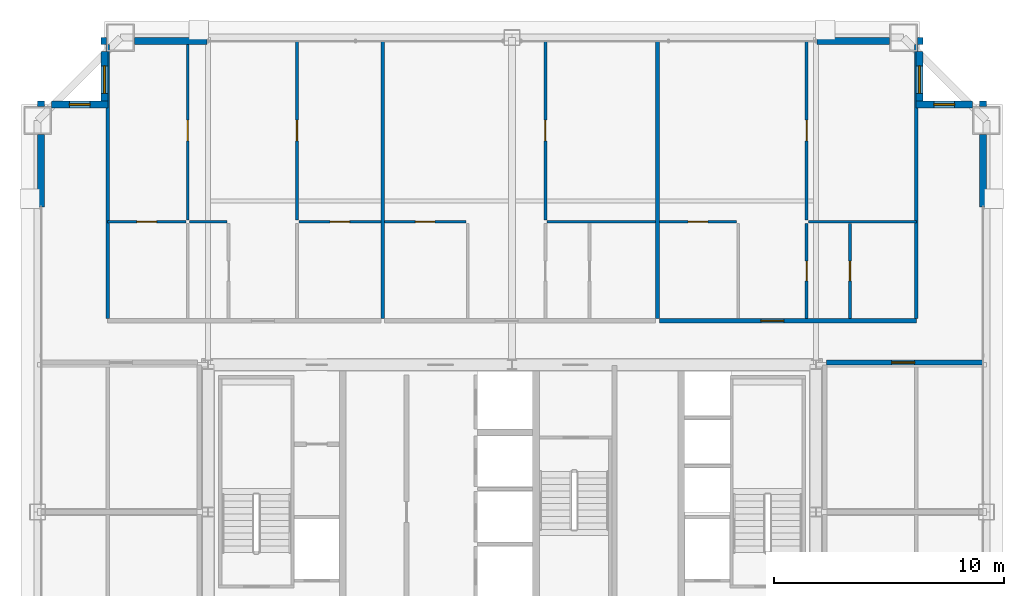
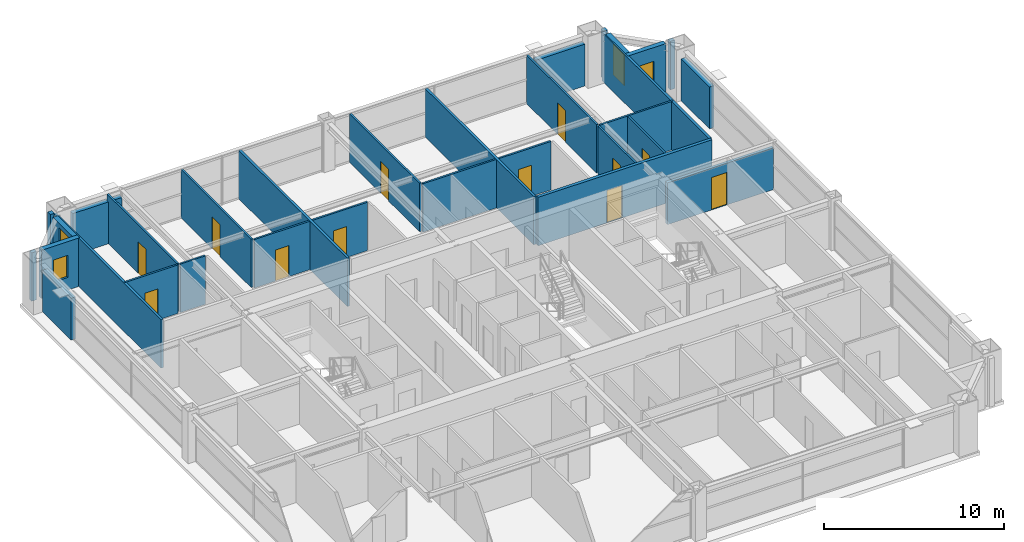
# One storey, part 35 of 37: 31 walls, 12 doors, 4 windows, 16 openings.
"""IFC4 building model written with IfcOpenShell, lengths in metres."""

from ifc_helpers import new_model, si_unit, direction, frame, frame_2d, origin, place, context, subcontext, project, spatial, rectangle, extrude, source, transform, mapped, material, layer, layer_set, type_object, element, fill, save


model = new_model("IFC4")

# Units and contexts
model_context = context("Model", 3, precision=1e-05, world=origin(), true_north=direction((0.0, 1.0)))
body_context = subcontext(model_context, "Body", "Model", "MODEL_VIEW")
ifc_project = project(units=[si_unit("LENGTHUNIT", "METRE"), si_unit("AREAUNIT", "SQUARE_METRE"), si_unit("VOLUMEUNIT", "CUBIC_METRE"), si_unit("PLANEANGLEUNIT", "RADIAN"), si_unit("MASSUNIT", "GRAM", prefix="KILO"), si_unit("THERMODYNAMICTEMPERATUREUNIT", "KELVIN"), si_unit("POWERUNIT", "WATT")], contexts=[model_context])

# Site, building, storey
site_placement = place(None, origin())
site = spatial("IfcSite", under=ifc_project, at=site_placement, CompositionType="ELEMENT")
building_placement = place(site_placement, origin())
building = spatial("IfcBuilding", under=site, at=building_placement, Name="Yuzanri Waterfront Tower", CompositionType="ELEMENT")
storey_placement = place(building_placement, frame((0.0, 0.0, 245.10009765625)))
storey = spatial("IfcBuildingStorey", under=building, at=storey_placement, Name="L65", CompositionType="ELEMENT", Elevation=245.10009765625)

# Wall, opening, door
ifc_material_1 = material(Name="Moisture-Resistant Gypsum Stud Wall", Category="gypsum")
ifc_layer_1 = layer(ifc_material_1, 0.1201171875)
ifc_layer_set_1 = layer_set([ifc_layer_1], Name="Moisture-Resistant Gypsum Stud Wall")
wall_type_1 = type_object("IfcWallType", Name="Bathroom and Kitchen Wet Partition 120", PredefinedType="PARTITIONING", material=ifc_layer_set_1)
wall_1_placement = place(storey_placement, frame((19.43994140625, 38.39990234375, 0.0), z_axis=(0.0, 0.0, 1.0), x_axis=(1.0, 0.0, 0.0)))
wall_1 = element("IfcWall", 1, at=wall_1_placement, inside=storey, type_object=wall_type_1, Name="L65 Partition UW-L65-RN1-SUB-1-N", PredefinedType="PARTITIONING", context=body_context, shape_type="SweptSolid", body=[
    extrude(rectangle(XDim=3.400146484375, YDim=0.1201171875, at=frame_2d((1.7001953125, 0.0))), origin(), (0.0, 0.0, 1.0), 3.27978515625),
])
opening_1_placement = place(wall_1_placement, frame((1.27490234375, 0.0, 0.0)))
opening_1 = element("IfcOpeningElement", 2, at=opening_1_placement, cuts=wall_1, Name="Opening ID-0850", PredefinedType="OPENING", context=body_context, shape_type="SweptSolid", body=[
    extrude(rectangle(XDim=0.85009765625, YDim=2.10009765625, at=frame_2d((0.425048828125, 1.050048828125))), frame((0.0, 0.074951171875, 0.0), z_axis=(0.0, -1.0, 0.0), x_axis=(1.0, 0.0, 0.0)), (0.0, 0.0, 1.0), 0.14990234375),
])
ifc_material_2 = material(Name="Moisture-Resistant Lacquered Timber", Category="wood")
door_type_1 = type_object("IfcDoorType", Name="En-Suite Bathroom and Kitchen Swing Door 850x2100", OperationType="NOTDEFINED", PredefinedType="DOOR", material=ifc_material_2)
shared_shape_1 = source(origin(), body_context, "Body", "SweptSolid", [
    extrude(rectangle(XDim=0.85009765625, YDim=2.10009765625, at=frame_2d((0.425048828125, 1.050048828125))), frame((0.0, 0.02490234375, 0.0), z_axis=(0.0, -1.0, 0.0), x_axis=(1.0, 0.0, 0.0)), (0.0, 0.0, 1.0), 0.050048828125),
])
door_1_placement = place(opening_1_placement, origin())
door_1 = element("IfcDoor", 3, at=door_1_placement, inside=storey, type_object=door_type_1, Name="L65 Suite Interior Room Door", OperationType="SINGLE_SWING_RIGHT", OverallHeight=2.10009765625, OverallWidth=0.85009765625, PredefinedType="DOOR", context=body_context, shape_type="MappedRepresentation", body=[
    mapped(shared_shape_1, transform((0.0, 0.0, 0.0), scale=1.0)),
])
fill(opening_1, door_1)

wall_2_placement = place(storey_placement, frame((27.742919921875, 38.39990234375, 0.0), z_axis=(0.0, 0.0, 1.0), x_axis=(1.0, 0.0, 0.0)))
wall_2 = element("IfcWall", 4, at=wall_2_placement, inside=storey, type_object=wall_type_1, Name="L65 Partition UW-L65-RN1-SUB-3-N", PredefinedType="PARTITIONING", context=body_context, shape_type="SweptSolid", body=[
    extrude(rectangle(XDim=3.55810546875, YDim=0.1201171875, at=frame_2d((1.779052734375, 0.0))), origin(), (0.0, 0.0, 1.0), 3.27978515625),
])
opening_2_placement = place(wall_2_placement, frame((1.35400390625, 0.0, 0.0)))
opening_2 = element("IfcOpeningElement", 5, at=opening_2_placement, cuts=wall_2, Name="Opening ID-0850", PredefinedType="OPENING", context=body_context, shape_type="SweptSolid", body=[
    extrude(rectangle(XDim=0.85009765625, YDim=2.10009765625, at=frame_2d((0.425048828125, 1.050048828125))), frame((0.0, 0.074951171875, 0.0), z_axis=(0.0, -1.0, 0.0), x_axis=(1.0, 0.0, 0.0)), (0.0, 0.0, 1.0), 0.14990234375),
])
door_2_placement = place(opening_2_placement, origin())
door_2 = element("IfcDoor", 6, at=door_2_placement, inside=storey, type_object=door_type_1, Name="L65 Suite Interior Room Door", OperationType="SINGLE_SWING_RIGHT", OverallHeight=2.10009765625, OverallWidth=0.85009765625, PredefinedType="DOOR", context=body_context, shape_type="MappedRepresentation", body=[
    mapped(shared_shape_1, transform((0.0, 0.0, 0.0), scale=1.0)),
])
fill(opening_2, door_2)

wall_3_placement = place(storey_placement, frame((22.919921875, 38.47998046875, 0.0), z_axis=(0.0, 0.0, 1.0), x_axis=(0.0, 1.0, 0.0)))
wall_3 = element("IfcWall", 7, at=wall_3_placement, inside=storey, type_object=wall_type_1, Name="L65 Partition UW-L65-RN1-SUB-4-E", PredefinedType="PARTITIONING", context=body_context, shape_type="SweptSolid", body=[
    extrude(rectangle(XDim=7.77001953125, YDim=0.1201171875, at=frame_2d((3.885009765625, 0.0))), origin(), (0.0, 0.0, 1.0), 3.27978515625),
])
opening_3_placement = place(wall_3_placement, frame((3.43505859375, 0.0, 0.0)))
opening_3 = element("IfcOpeningElement", 8, at=opening_3_placement, cuts=wall_3, Name="Opening ID-0900", PredefinedType="OPENING", context=body_context, shape_type="SweptSolid", body=[
    extrude(rectangle(XDim=0.89990234375, YDim=2.14990234375, at=frame_2d((0.449951171875, 1.074951171875))), frame((0.0, 0.074951171875, 0.0), z_axis=(0.0, -1.0, 0.0), x_axis=(1.0, 0.0, 0.0)), (0.0, 0.0, 1.0), 0.14990234375),
])
ifc_material_3 = material(Name="Stained Walnut Veneer Timber", Category="wood")
door_type_2 = type_object("IfcDoorType", Name="Bedroom and Study Interior Swing Door 900x2150", OperationType="NOTDEFINED", PredefinedType="DOOR", material=ifc_material_3)
shared_shape_2 = source(origin(), body_context, "Body", "SweptSolid", [
    extrude(rectangle(XDim=0.89990234375, YDim=2.14990234375, at=frame_2d((0.449951171875, 1.074951171875))), frame((0.0, 0.02490234375, 0.0), z_axis=(0.0, -1.0, 0.0), x_axis=(1.0, 0.0, 0.0)), (0.0, 0.0, 1.0), 0.050048828125),
])
door_3_placement = place(opening_3_placement, origin())
door_3 = element("IfcDoor", 9, at=door_3_placement, inside=storey, type_object=door_type_2, Name="L65 Suite Interior Room Door", OperationType="SINGLE_SWING_LEFT", OverallHeight=2.14990234375, OverallWidth=0.89990234375, PredefinedType="DOOR", context=body_context, shape_type="MappedRepresentation", body=[
    mapped(shared_shape_2, transform((0.0, 0.0, 0.0), scale=1.0)),
])
fill(opening_3, door_3)

wall_4_placement = place(storey_placement, frame((27.6630859375, 38.47998046875, 0.0), z_axis=(0.0, 0.0, 1.0), x_axis=(0.0, 1.0, 0.0)))
wall_4 = element("IfcWall", 10, at=wall_4_placement, inside=storey, type_object=wall_type_1, Name="L65 Partition UW-L65-RN1-SUB-5-W", PredefinedType="PARTITIONING", context=body_context, shape_type="SweptSolid", body=[
    extrude(rectangle(XDim=7.77001953125, YDim=0.1201171875, at=frame_2d((3.885009765625, 0.0))), origin(), (0.0, 0.0, 1.0), 3.27978515625),
])
opening_4_placement = place(wall_4_placement, frame((3.43505859375, 0.0, 0.0)))
opening_4 = element("IfcOpeningElement", 11, at=opening_4_placement, cuts=wall_4, Name="Opening ID-0900", PredefinedType="OPENING", context=body_context, shape_type="SweptSolid", body=[
    extrude(rectangle(XDim=0.89990234375, YDim=2.14990234375, at=frame_2d((0.449951171875, 1.074951171875))), frame((0.0, 0.074951171875, 0.0), z_axis=(0.0, -1.0, 0.0), x_axis=(1.0, 0.0, 0.0)), (0.0, 0.0, 1.0), 0.14990234375),
])
door_4_placement = place(opening_4_placement, origin())
door_4 = element("IfcDoor", 12, at=door_4_placement, inside=storey, type_object=door_type_2, Name="L65 Suite Interior Room Door", OperationType="SINGLE_SWING_RIGHT", OverallHeight=2.14990234375, OverallWidth=0.89990234375, PredefinedType="DOOR", context=body_context, shape_type="MappedRepresentation", body=[
    mapped(shared_shape_2, transform((0.0, 0.0, 0.0), scale=1.0)),
])
fill(opening_4, door_4)

wall_5_placement = place(storey_placement, frame((31.4609375, 38.39990234375, 0.0), z_axis=(0.0, 0.0, 1.0), x_axis=(1.0, 0.0, 0.0)))
wall_5 = element("IfcWall", 13, at=wall_5_placement, inside=storey, type_object=wall_type_1, Name="L65 Partition UW-L65-RN2-SUB-1-N", PredefinedType="PARTITIONING", context=body_context, shape_type="SweptSolid", body=[
    extrude(rectangle(XDim=3.5341796875, YDim=0.1201171875, at=frame_2d((1.76708984375, 0.0))), origin(), (0.0, 0.0, 1.0), 3.27978515625),
])
opening_5_placement = place(wall_5_placement, frame((1.342041015625, 0.0, 0.0)))
opening_5 = element("IfcOpeningElement", 14, at=opening_5_placement, cuts=wall_5, Name="Opening ID-0850", PredefinedType="OPENING", context=body_context, shape_type="SweptSolid", body=[
    extrude(rectangle(XDim=0.85009765625, YDim=2.10009765625, at=frame_2d((0.425048828125, 1.050048828125))), frame((0.0, 0.074951171875, 0.0), z_axis=(0.0, -1.0, 0.0), x_axis=(1.0, 0.0, 0.0)), (0.0, 0.0, 1.0), 0.14990234375),
])
door_5_placement = place(opening_5_placement, origin())
door_5 = element("IfcDoor", 15, at=door_5_placement, inside=storey, type_object=door_type_1, Name="L65 Suite Interior Room Door", OperationType="SINGLE_SWING_RIGHT", OverallHeight=2.10009765625, OverallWidth=0.85009765625, PredefinedType="DOOR", context=body_context, shape_type="MappedRepresentation", body=[
    mapped(shared_shape_1, transform((0.0, 0.0, 0.0), scale=1.0)),
])
fill(opening_5, door_5)

wall_6_placement = place(storey_placement, frame((38.449951171875, 38.47998046875, 0.0), z_axis=(0.0, 0.0, 1.0), x_axis=(0.0, 1.0, 0.0)))
wall_6 = element("IfcWall", 16, at=wall_6_placement, inside=storey, type_object=wall_type_1, Name="L65 Partition UW-L65-RN2-SUB-3-W", PredefinedType="PARTITIONING", context=body_context, shape_type="SweptSolid", body=[
    extrude(rectangle(XDim=7.77001953125, YDim=0.1201171875, at=frame_2d((3.885009765625, 0.0))), origin(), (0.0, 0.0, 1.0), 3.27978515625),
])
opening_6_placement = place(wall_6_placement, frame((3.43505859375, 0.0, 0.0)))
opening_6 = element("IfcOpeningElement", 17, at=opening_6_placement, cuts=wall_6, Name="Opening ID-0900", PredefinedType="OPENING", context=body_context, shape_type="SweptSolid", body=[
    extrude(rectangle(XDim=0.89990234375, YDim=2.14990234375, at=frame_2d((0.449951171875, 1.074951171875))), frame((0.0, 0.074951171875, 0.0), z_axis=(0.0, -1.0, 0.0), x_axis=(1.0, 0.0, 0.0)), (0.0, 0.0, 1.0), 0.14990234375),
])
door_6_placement = place(opening_6_placement, origin())
door_6 = element("IfcDoor", 18, at=door_6_placement, inside=storey, type_object=door_type_2, Name="L65 Suite Interior Room Door", OperationType="SINGLE_SWING_RIGHT", OverallHeight=2.14990234375, OverallWidth=0.89990234375, PredefinedType="DOOR", context=body_context, shape_type="MappedRepresentation", body=[
    mapped(shared_shape_2, transform((0.0, 0.0, 0.0), scale=1.0)),
])
fill(opening_6, door_6)

wall_7_placement = place(storey_placement, frame((43.402099609375, 38.39990234375, 0.0), z_axis=(0.0, 0.0, 1.0), x_axis=(1.0, 0.0, 0.0)))
wall_7 = element("IfcWall", 19, at=wall_7_placement, inside=storey, type_object=wall_type_1, Name="L65 Partition UW-L65-RN3-SUB-1-N", PredefinedType="PARTITIONING", context=body_context, shape_type="SweptSolid", body=[
    extrude(rectangle(XDim=3.346923828125, YDim=0.1201171875, at=frame_2d((1.67333984375, 0.0))), origin(), (0.0, 0.0, 1.0), 3.27978515625),
])
opening_7_placement = place(wall_7_placement, frame((1.24853515625, 0.0, 0.0)))
opening_7 = element("IfcOpeningElement", 20, at=opening_7_placement, cuts=wall_7, Name="Opening ID-0850", PredefinedType="OPENING", context=body_context, shape_type="SweptSolid", body=[
    extrude(rectangle(XDim=0.85009765625, YDim=2.10009765625, at=frame_2d((0.425048828125, 1.050048828125))), frame((0.0, 0.074951171875, 0.0), z_axis=(0.0, -1.0, 0.0), x_axis=(1.0, 0.0, 0.0)), (0.0, 0.0, 1.0), 0.14990234375),
])
door_7_placement = place(opening_7_placement, origin())
door_7 = element("IfcDoor", 21, at=door_7_placement, inside=storey, type_object=door_type_1, Name="L65 Suite Interior Room Door", OperationType="SINGLE_SWING_LEFT", OverallHeight=2.10009765625, OverallWidth=0.85009765625, PredefinedType="DOOR", context=body_context, shape_type="MappedRepresentation", body=[
    mapped(shared_shape_1, transform((0.0, 0.0, 0.0), scale=1.0)),
])
fill(opening_7, door_7)

wall_8_placement = place(storey_placement, frame((51.679931640625, 34.2099609375, 0.0), z_axis=(0.0, 0.0, 1.0), x_axis=(0.0, 1.0, 0.0)))
wall_8 = element("IfcWall", 22, at=wall_8_placement, inside=storey, type_object=wall_type_1, Name="L65 Partition UW-L65-RN3-SUB-2-W", PredefinedType="PARTITIONING", context=body_context, shape_type="SweptSolid", body=[
    extrude(rectangle(XDim=4.110107421875, YDim=0.1201171875, at=frame_2d((2.05517578125, 0.0))), origin(), (0.0, 0.0, 1.0), 3.27978515625),
])
opening_8_placement = place(wall_8_placement, frame((1.6298828125, 0.0, 0.0)))
opening_8 = element("IfcOpeningElement", 23, at=opening_8_placement, cuts=wall_8, Name="Opening ID-0850", PredefinedType="OPENING", context=body_context, shape_type="SweptSolid", body=[
    extrude(rectangle(XDim=0.85009765625, YDim=2.10009765625, at=frame_2d((0.425048828125, 1.050048828125))), frame((0.0, 0.074951171875, 0.0), z_axis=(0.0, -1.0, 0.0), x_axis=(1.0, 0.0, 0.0)), (0.0, 0.0, 1.0), 0.14990234375),
])
door_8_placement = place(opening_8_placement, origin())
door_8 = element("IfcDoor", 24, at=door_8_placement, inside=storey, type_object=door_type_1, Name="L65 Suite Interior Room Door", OperationType="SINGLE_SWING_RIGHT", OverallHeight=2.10009765625, OverallWidth=0.85009765625, PredefinedType="DOOR", context=body_context, shape_type="MappedRepresentation", body=[
    mapped(shared_shape_1, transform((0.0, 0.0, 0.0), scale=1.0)),
])
fill(opening_8, door_8)

wall_9_placement = place(storey_placement, frame((49.7939453125, 38.47998046875, 0.0), z_axis=(0.0, 0.0, 1.0), x_axis=(0.0, 1.0, 0.0)))
wall_9 = element("IfcWall", 25, at=wall_9_placement, inside=storey, type_object=wall_type_1, Name="L65 Partition UW-L65-RN3-SUB-3-W", PredefinedType="PARTITIONING", context=body_context, shape_type="SweptSolid", body=[
    extrude(rectangle(XDim=7.77001953125, YDim=0.1201171875, at=frame_2d((3.885009765625, 0.0))), origin(), (0.0, 0.0, 1.0), 3.27978515625),
])
opening_9_placement = place(wall_9_placement, frame((3.43505859375, 0.0, 0.0)))
opening_9 = element("IfcOpeningElement", 26, at=opening_9_placement, cuts=wall_9, Name="Opening ID-0900", PredefinedType="OPENING", context=body_context, shape_type="SweptSolid", body=[
    extrude(rectangle(XDim=0.89990234375, YDim=2.14990234375, at=frame_2d((0.449951171875, 1.074951171875))), frame((0.0, 0.074951171875, 0.0), z_axis=(0.0, -1.0, 0.0), x_axis=(1.0, 0.0, 0.0)), (0.0, 0.0, 1.0), 0.14990234375),
])
door_9_placement = place(opening_9_placement, origin())
door_9 = element("IfcDoor", 27, at=door_9_placement, inside=storey, type_object=door_type_2, Name="L65 Suite Interior Room Door", OperationType="SINGLE_SWING_LEFT", OverallHeight=2.14990234375, OverallWidth=0.89990234375, PredefinedType="DOOR", context=body_context, shape_type="MappedRepresentation", body=[
    mapped(shared_shape_2, transform((0.0, 0.0, 0.0), scale=1.0)),
])
fill(opening_9, door_9)

wall_10_placement = place(storey_placement, frame((49.7939453125, 34.2099609375, 0.0), z_axis=(0.0, 0.0, 1.0), x_axis=(0.0, 1.0, 0.0)))
wall_10 = element("IfcWall", 28, at=wall_10_placement, inside=storey, type_object=wall_type_1, Name="L65 Partition UW-L65-RN3-SUB-4-W", PredefinedType="PARTITIONING", context=body_context, shape_type="SweptSolid", body=[
    extrude(rectangle(XDim=4.110107421875, YDim=0.1201171875, at=frame_2d((2.05517578125, 0.0))), origin(), (0.0, 0.0, 1.0), 3.27978515625),
])
opening_10_placement = place(wall_10_placement, frame((1.6298828125, 0.0, 0.0)))
opening_10 = element("IfcOpeningElement", 29, at=opening_10_placement, cuts=wall_10, Name="Opening ID-0850", PredefinedType="OPENING", context=body_context, shape_type="SweptSolid", body=[
    extrude(rectangle(XDim=0.85009765625, YDim=2.10009765625, at=frame_2d((0.425048828125, 1.050048828125))), frame((0.0, 0.074951171875, 0.0), z_axis=(0.0, -1.0, 0.0), x_axis=(1.0, 0.0, 0.0)), (0.0, 0.0, 1.0), 0.14990234375),
])
door_10_placement = place(opening_10_placement, origin())
door_10 = element("IfcDoor", 30, at=door_10_placement, inside=storey, type_object=door_type_1, Name="L65 Suite Interior Room Door", OperationType="SINGLE_SWING_RIGHT", OverallHeight=2.10009765625, OverallWidth=0.85009765625, PredefinedType="DOOR", context=body_context, shape_type="MappedRepresentation", body=[
    mapped(shared_shape_1, transform((0.0, 0.0, 0.0), scale=1.0)),
])
fill(opening_10, door_10)

# Wall, opening, window
ifc_material_4 = material(Name="Honed Chongqing Dark Basalt Stone", Category="masonry")
ifc_layer_2 = layer(ifc_material_4, 0.300048828125)
ifc_layer_set_2 = layer_set([ifc_layer_2], Name="Honed Chongqing Dark Basalt Stone")
wall_type_2 = type_object("IfcWallType", Name="Bronze Rainscreen Insulated Spandrel Portal Wall 300", PredefinedType="SOLIDWALL", material=ifc_layer_set_2)
wall_11_placement = place(storey_placement, frame((19.449951171875, 43.5, 0.0), z_axis=(0.0, 0.0, 1.0), x_axis=(-1.0, 0.0, 0.0)))
wall_11 = element("IfcWall", 31, at=wall_11_placement, inside=storey, type_object=wall_type_2, Name="L65 Notched Corner Masonry Wall NW-X", PredefinedType="SOLIDWALL", context=body_context, shape_type="SweptSolid", body=[
    extrude(rectangle(XDim=2.449951171875, YDim=0.300048828125, at=frame_2d((1.22509765625, 0.0))), origin(), (0.0, 0.0, 1.0), 3.27978515625),
])
opening_11_placement = place(wall_11_placement, frame((0.77490234375, 0.0, 0.85009765625)))
opening_11 = element("IfcOpeningElement", 32, at=opening_11_placement, cuts=wall_11, Name="Opening WN-05", PredefinedType="OPENING", context=body_context, shape_type="SweptSolid", body=[
    extrude(rectangle(XDim=0.89990234375, YDim=1.5, at=frame_2d((0.449951171875, 0.75))), frame((0.0, 0.1650390625, 0.0), z_axis=(0.0, -1.0, 0.0), x_axis=(1.0, 0.0, 0.0)), (0.0, 0.0, 1.0), 0.329833984375),
])
ifc_material_5 = material(Name="Double-Silver Low-E Insulated Glass", Category="glass")
window_type_1 = type_object("IfcWindowType", Name="Anodized Bronze Service and Stairwell Smoke-Vent Window 900x1500", PartitioningType="SINGLE_PANEL", PredefinedType="WINDOW", material=ifc_material_5)
shared_shape_3 = source(origin(), body_context, "Body", "SweptSolid", [
    extrude(rectangle(XDim=0.89990234375, YDim=1.5, at=frame_2d((0.449951171875, 0.75))), frame((0.0, 0.030029296875, 0.0), z_axis=(0.0, -1.0, 0.0), x_axis=(1.0, 0.0, 0.0)), (0.0, 0.0, 1.0), 0.06005859375),
])
window_1_placement = place(opening_11_placement, origin())
window_1 = element("IfcWindow", 33, at=window_1_placement, inside=storey, type_object=window_type_1, Name="L65 Notched Corner Window NW-X", OverallHeight=1.5, OverallWidth=0.89990234375, PartitioningType="SINGLE_PANEL", PredefinedType="WINDOW", context=body_context, shape_type="MappedRepresentation", body=[
    mapped(shared_shape_3, transform((0.0, 0.0, 0.0), scale=1.0)),
])
fill(opening_11, window_1)

wall_12_placement = place(storey_placement, frame((19.300048828125, 45.800048828125, 0.0), z_axis=(0.0, 0.0, 1.0), x_axis=(0.0, -1.0, 0.0)))
wall_12 = element("IfcWall", 34, at=wall_12_placement, inside=storey, type_object=wall_type_2, Name="L65 Notched Corner Masonry Wall NW-Y", PredefinedType="SOLIDWALL", context=body_context, shape_type="SweptSolid", body=[
    extrude(rectangle(XDim=2.449951171875, YDim=0.300048828125, at=frame_2d((1.22509765625, 0.0))), origin(), (0.0, 0.0, 1.0), 3.27978515625),
])
opening_12_placement = place(wall_12_placement, frame((0.625, 0.0, 0.85009765625)))
opening_12 = element("IfcOpeningElement", 35, at=opening_12_placement, cuts=wall_12, Name="Opening WN-02", PredefinedType="OPENING", context=body_context, shape_type="SweptSolid", body=[
    extrude(rectangle(XDim=1.199951171875, YDim=2.10009765625, at=frame_2d((0.60009765625, 1.050048828125))), frame((0.0, 0.1650390625, 0.0), z_axis=(0.0, -1.0, 0.0), x_axis=(1.0, 0.0, 0.0)), (0.0, 0.0, 1.0), 0.329833984375),
])
ifc_material_6 = material(Name="Double-Silver Low-E Insulated Glass", Category="glass")
window_type_2 = type_object("IfcWindowType", Name="Anodized Bronze Notched Corner Deep-Set Slot Window 1200x2100", PartitioningType="SINGLE_PANEL", PredefinedType="WINDOW", material=ifc_material_6)
shared_shape_4 = source(origin(), body_context, "Body", "SweptSolid", [
    extrude(rectangle(XDim=1.199951171875, YDim=2.10009765625, at=frame_2d((0.60009765625, 1.050048828125))), frame((0.0, 0.030029296875, 0.0), z_axis=(0.0, -1.0, 0.0), x_axis=(1.0, 0.0, 0.0)), (0.0, 0.0, 1.0), 0.06005859375),
])
window_2_placement = place(opening_12_placement, origin())
window_2 = element("IfcWindow", 36, at=window_2_placement, inside=storey, type_object=window_type_2, Name="L65 Notched Corner Window NW-Y", OverallHeight=2.10009765625, OverallWidth=1.199951171875, PartitioningType="SINGLE_PANEL", PredefinedType="WINDOW", context=body_context, shape_type="MappedRepresentation", body=[
    mapped(shared_shape_4, transform((0.0, 0.0, 0.0), scale=1.0)),
])
fill(opening_12, window_2)

wall_13_placement = place(storey_placement, frame((57.0, 43.5, 0.0), z_axis=(0.0, 0.0, 1.0), x_axis=(-1.0, 0.0, 0.0)))
wall_13 = element("IfcWall", 37, at=wall_13_placement, inside=storey, type_object=wall_type_2, Name="L65 Notched Corner Masonry Wall NE-X", PredefinedType="SOLIDWALL", context=body_context, shape_type="SweptSolid", body=[
    extrude(rectangle(XDim=2.449951171875, YDim=0.300048828125, at=frame_2d((1.22509765625, 0.0))), origin(), (0.0, 0.0, 1.0), 3.27978515625),
])
opening_13_placement = place(wall_13_placement, frame((0.77490234375, 0.0, 0.85009765625)))
opening_13 = element("IfcOpeningElement", 38, at=opening_13_placement, cuts=wall_13, Name="Opening WN-05", PredefinedType="OPENING", context=body_context, shape_type="SweptSolid", body=[
    extrude(rectangle(XDim=0.89990234375, YDim=1.5, at=frame_2d((0.449951171875, 0.75))), frame((0.0, 0.1650390625, 0.0), z_axis=(0.0, -1.0, 0.0), x_axis=(1.0, 0.0, 0.0)), (0.0, 0.0, 1.0), 0.329833984375),
])
window_3_placement = place(opening_13_placement, origin())
window_3 = element("IfcWindow", 39, at=window_3_placement, inside=storey, type_object=window_type_1, Name="L65 Notched Corner Window NE-X", OverallHeight=1.5, OverallWidth=0.89990234375, PartitioningType="SINGLE_PANEL", PredefinedType="WINDOW", context=body_context, shape_type="MappedRepresentation", body=[
    mapped(shared_shape_3, transform((0.0, 0.0, 0.0), scale=1.0)),
])
fill(opening_13, window_3)

wall_14_placement = place(storey_placement, frame((54.699951171875, 43.35009765625, 0.0), z_axis=(0.0, 0.0, 1.0), x_axis=(0.0, 1.0, 0.0)))
wall_14 = element("IfcWall", 40, at=wall_14_placement, inside=storey, type_object=wall_type_2, Name="L65 Notched Corner Masonry Wall NE-Y", PredefinedType="SOLIDWALL", context=body_context, shape_type="SweptSolid", body=[
    extrude(rectangle(XDim=2.449951171875, YDim=0.300048828125, at=frame_2d((1.22509765625, 0.0))), origin(), (0.0, 0.0, 1.0), 3.27978515625),
])
opening_14_placement = place(wall_14_placement, frame((0.625, 0.0, 0.85009765625)))
opening_14 = element("IfcOpeningElement", 41, at=opening_14_placement, cuts=wall_14, Name="Opening WN-02", PredefinedType="OPENING", context=body_context, shape_type="SweptSolid", body=[
    extrude(rectangle(XDim=1.199951171875, YDim=2.10009765625, at=frame_2d((0.60009765625, 1.050048828125))), frame((0.0, 0.1650390625, 0.0), z_axis=(0.0, -1.0, 0.0), x_axis=(1.0, 0.0, 0.0)), (0.0, 0.0, 1.0), 0.329833984375),
])
window_4_placement = place(opening_14_placement, origin())
window_4 = element("IfcWindow", 42, at=window_4_placement, inside=storey, type_object=window_type_2, Name="L65 Notched Corner Window NE-Y", OverallHeight=2.10009765625, OverallWidth=1.199951171875, PartitioningType="SINGLE_PANEL", PredefinedType="WINDOW", context=body_context, shape_type="MappedRepresentation", body=[
    mapped(shared_shape_4, transform((0.0, 0.0, 0.0), scale=1.0)),
])
fill(opening_14, window_4)

# Wall, opening, door
ifc_material_7 = material(Name="Autoclaved Aerated Concrete Blockwork", Category="masonry")
ifc_layer_3 = layer(ifc_material_7, 0.199951171875)
ifc_layer_set_3 = layer_set([ifc_layer_3], Name="Autoclaved Aerated Concrete Blockwork")
wall_type_3 = type_object("IfcWallType", Name="Corridor and Unit Party Fire Wall 200", PredefinedType="PARTITIONING", material=ifc_layer_set_3)
wall_15_placement = place(storey_placement, frame((43.402099609375, 34.110107421875, 0.0), z_axis=(0.0, 0.0, 1.0), x_axis=(1.0, 0.0, 0.0)))
wall_15 = element("IfcWall", 43, at=wall_15_placement, inside=storey, type_object=wall_type_3, Name="L65 Partition UW-L65-RN3-CS", PredefinedType="PARTITIONING", context=body_context, shape_type="SweptSolid", body=[
    extrude(rectangle(XDim=11.157958984375, YDim=0.199951171875, at=frame_2d((5.5791015625, 0.0))), origin(), (0.0, 0.0, 1.0), 3.27978515625),
])
opening_15_placement = place(wall_15_placement, frame((4.408935546875, 0.0, 0.0)))
opening_15 = element("IfcOpeningElement", 44, at=opening_15_placement, cuts=wall_15, Name="Opening FD-1000", PredefinedType="OPENING", context=body_context, shape_type="SweptSolid", body=[
    extrude(rectangle(XDim=1.0, YDim=2.199951171875, at=frame_2d((0.5, 1.10009765625))), frame((0.0, 0.11474609375, 0.0), z_axis=(0.0, -1.0, 0.0), x_axis=(1.0, 0.0, 0.0)), (0.0, 0.0, 1.0), 0.229736328125),
])
ifc_material_8 = material(Name="Engineered Oak Fire-Rated Timber", Category="wood")
door_type_3 = type_object("IfcDoorType", Name="Guestroom and Apartment Entrance Fire Door 1000x2200", OperationType="NOTDEFINED", PredefinedType="DOOR", material=ifc_material_8)
shared_shape_5 = source(origin(), body_context, "Body", "SweptSolid", [
    extrude(rectangle(XDim=1.0, YDim=2.199951171875, at=frame_2d((0.5, 1.10009765625))), frame((0.0, 0.02490234375, 0.0), z_axis=(0.0, -1.0, 0.0), x_axis=(1.0, 0.0, 0.0)), (0.0, 0.0, 1.0), 0.050048828125),
])
door_11_placement = place(opening_15_placement, origin())
door_11 = element("IfcDoor", 45, at=door_11_placement, inside=storey, type_object=door_type_3, Name="L65 Apartment Living Room Entrance Door", OperationType="SINGLE_SWING_RIGHT", OverallHeight=2.199951171875, OverallWidth=1.0, PredefinedType="DOOR", context=body_context, shape_type="MappedRepresentation", body=[
    mapped(shared_shape_5, transform((0.0, 0.0, 0.0), scale=1.0)),
])
fill(opening_15, door_11)

wall_16_placement = place(storey_placement, frame((50.64990234375, 32.2900390625, 0.0), z_axis=(0.0, 0.0, 1.0), x_axis=(1.0, 0.0, 0.0)))
wall_16 = element("IfcWall", 46, at=wall_16_placement, inside=storey, type_object=wall_type_3, Name="L65 Partition UW-L65-050-CN", PredefinedType="PARTITIONING", context=body_context, shape_type="SweptSolid", body=[
    extrude(rectangle(XDim=6.800048828125, YDim=0.199951171875, at=frame_2d((3.39990234375, 0.0))), origin(), (0.0, 0.0, 1.0), 2.824951171875),
])
opening_16_placement = place(wall_16_placement, frame((2.8349609375, 0.0, 0.0)))
opening_16 = element("IfcOpeningElement", 47, at=opening_16_placement, cuts=wall_16, Name="Opening FD-1000", PredefinedType="OPENING", context=body_context, shape_type="SweptSolid", body=[
    extrude(rectangle(XDim=1.0, YDim=2.199951171875, at=frame_2d((0.5, 1.10009765625))), frame((0.0, 0.11474609375, 0.0), z_axis=(0.0, -1.0, 0.0), x_axis=(1.0, 0.0, 0.0)), (0.0, 0.0, 1.0), 0.229736328125),
])
door_12_placement = place(opening_16_placement, origin())
door_12 = element("IfcDoor", 48, at=door_12_placement, inside=storey, type_object=door_type_3, Name="L65 Residents E Executive Office 2 Entrance Door", OperationType="SINGLE_SWING_RIGHT", OverallHeight=2.199951171875, OverallWidth=1.0, PredefinedType="DOOR", context=body_context, shape_type="MappedRepresentation", body=[
    mapped(shared_shape_5, transform((0.0, 0.0, 0.0), scale=1.0)),
])
fill(opening_16, door_12)

# Walls
shared_shape_6 = source(origin(), body_context, "Body", "SweptSolid", [
    extrude(rectangle(XDim=0.25, YDim=0.300048828125, at=frame_2d((0.125, 0.0))), origin(), (0.0, 0.0, 1.0), 3.27978515625),
])
for number, where, z_axis, x_axis, name in (
    (49, (19.14990234375, 46.25, 0.0), (0.0, 0.0, 1.0), (1.0, 0.0, 0.0), "L65 Corner Column Shoulder Return CNW"),
    (50, (54.60009765625, 46.25, 0.0), (0.0, 0.0, 1.0), (1.0, 0.0, 0.0), "L65 Corner Column Shoulder Return CNE"),
    (51, (16.550048828125, 43.39990234375, 0.0), (0.0, 0.0, 1.0), (0.0, 1.0, 0.0), "L65 Corner Column Shoulder Return CWN"),
    (52, (57.449951171875, 43.39990234375, 0.0), (0.0, 0.0, 1.0), (0.0, 1.0, 0.0), "L65 Corner Column Shoulder Return CEN"),
):
    element("IfcWall", number, at=place(storey_placement, frame(where, z_axis=z_axis, x_axis=x_axis)), inside=storey, type_object=wall_type_2, Name=name, PredefinedType="SOLIDWALL", context=body_context, shape_type="MappedRepresentation", body=[
        mapped(shared_shape_6, transform((0.0, 0.0, 0.0), scale=1.0)),
    ])
shared_shape_7 = source(origin(), body_context, "Body", "SweptSolid", [
    extrude(rectangle(XDim=3.14990234375, YDim=0.300048828125, at=frame_2d((1.574951171875, 0.0))), origin(), (0.0, 0.0, 1.0), 2.8349609375),
])
for number, where, z_axis, x_axis, name in (
    (53, (20.60009765625, 46.25, 0.0), (0.0, 0.0, 1.0), (1.0, 0.0, 0.0), "L65 N Left Braced Masonry Shoulder"),
    (54, (50.25, 46.25, 0.0), (0.0, 0.0, 1.0), (1.0, 0.0, 0.0), "L65 N Right Braced Masonry Shoulder"),
    (55, (16.550048828125, 39.050048828125, 0.0), (0.0, 0.0, 1.0), (0.0, 1.0, 0.0), "L65 W Right Braced Masonry Shoulder"),
    (56, (57.449951171875, 39.050048828125, 0.0), (0.0, 0.0, 1.0), (0.0, 1.0, 0.0), "L65 E Right Braced Masonry Shoulder"),
):
    element("IfcWall", number, at=place(storey_placement, frame(where, z_axis=z_axis, x_axis=x_axis)), inside=storey, type_object=wall_type_2, Name=name, PredefinedType="SOLIDWALL", context=body_context, shape_type="MappedRepresentation", body=[
        mapped(shared_shape_7, transform((0.0, 0.0, 0.0), scale=1.0)),
    ])
ifc_material_9 = material(Name="Gypsum Fireboard Acoustic Stud Wall", Category="gypsum")
ifc_layer_4 = layer(ifc_material_9, 0.159912109375)
ifc_layer_set_4 = layer_set([ifc_layer_4], Name="Gypsum Fireboard Acoustic Stud Wall")
wall_type_4 = type_object("IfcWallType", Name="Acoustic Suite Demising Partition 160", PredefinedType="PARTITIONING", material=ifc_layer_set_4)
shared_shape_8 = source(origin(), body_context, "Body", "SweptSolid", [
    extrude(rectangle(XDim=11.89013671875, YDim=0.159912109375, at=frame_2d((5.945068359375, 0.0))), origin(), (0.0, 0.0, 1.0), 3.27978515625),
])
for number, where, z_axis, x_axis, name in (
    (57, (19.449951171875, 34.2099609375, 0.0), (0.0, 0.0, 1.0), (0.0, 1.0, 0.0), "L65 North Band West End Wall"),
    (58, (54.550048828125, 34.2099609375, 0.0), (0.0, 0.0, 1.0), (0.0, 1.0, 0.0), "L65 North Band East End Wall"),
):
    element("IfcWall", number, at=place(storey_placement, frame(where, z_axis=z_axis, x_axis=x_axis)), inside=storey, type_object=wall_type_4, Name=name, PredefinedType="PARTITIONING", context=body_context, shape_type="MappedRepresentation", body=[
        mapped(shared_shape_8, transform((0.0, 0.0, 0.0), scale=1.0)),
    ])
shared_shape_9 = source(origin(), body_context, "Body", "SweptSolid", [
    extrude(rectangle(XDim=12.0400390625, YDim=0.159912109375, at=frame_2d((6.02001953125, 0.0))), origin(), (0.0, 0.0, 1.0), 3.27978515625),
])
for number, where, z_axis, x_axis, name in (
    (59, (31.381103515625, 34.2099609375, 0.0), (0.0, 0.0, 1.0), (0.0, 1.0, 0.0), "L65-RN1 Party Wall"),
    (60, (43.322021484375, 34.2099609375, 0.0), (0.0, 0.0, 1.0), (0.0, 1.0, 0.0), "L65-RN2 Party Wall"),
):
    element("IfcWall", number, at=place(storey_placement, frame(where, z_axis=z_axis, x_axis=x_axis)), inside=storey, type_object=wall_type_4, Name=name, PredefinedType="PARTITIONING", context=body_context, shape_type="MappedRepresentation", body=[
        mapped(shared_shape_9, transform((0.0, 0.0, 0.0), scale=1.0)),
    ])
shared_shape_10 = source(origin(), body_context, "Body", "SweptSolid", [
    extrude(rectangle(XDim=4.7119140625, YDim=0.1201171875, at=frame_2d((2.35595703125, 0.0))), origin(), (0.0, 0.0, 1.0), 3.27978515625),
])
wall_17_placement = place(storey_placement, frame((38.530029296875, 38.39990234375, 0.0), z_axis=(0.0, 0.0, 1.0), x_axis=(1.0, 0.0, 0.0)))
element("IfcWall", 61, at=wall_17_placement, inside=storey, type_object=wall_type_1, Name="L65 Partition UW-L65-RN2-SUB-3-S", PredefinedType="PARTITIONING", context=body_context, shape_type="MappedRepresentation", body=[
    mapped(shared_shape_10, transform((0.0, 0.0, 0.0), scale=1.0)),
])
shared_shape_11 = source(origin(), body_context, "Body", "SweptSolid", [
    extrude(rectangle(XDim=1.613037109375, YDim=0.1201171875, at=frame_2d((0.806640625, 0.0))), origin(), (0.0, 0.0, 1.0), 3.27978515625),
])
wall_18_placement = place(storey_placement, frame((23.0, 38.39990234375, 0.0), z_axis=(0.0, 0.0, 1.0), x_axis=(1.0, 0.0, 0.0)))
element("IfcWall", 62, at=wall_18_placement, inside=storey, type_object=wall_type_1, Name="L65 Partition UW-L65-RN1-SUB-2-N", PredefinedType="PARTITIONING", context=body_context, shape_type="MappedRepresentation", body=[
    mapped(shared_shape_11, transform((0.0, 0.0, 0.0), scale=1.0)),
])
shared_shape_12 = source(origin(), body_context, "Body", "SweptSolid", [
    extrude(rectangle(XDim=4.68603515625, YDim=0.1201171875, at=frame_2d((2.343017578125, 0.0))), origin(), (0.0, 0.0, 1.0), 3.27978515625),
])
wall_19_placement = place(storey_placement, frame((49.8740234375, 38.39990234375, 0.0), z_axis=(0.0, 0.0, 1.0), x_axis=(1.0, 0.0, 0.0)))
element("IfcWall", 63, at=wall_19_placement, inside=storey, type_object=wall_type_1, Name="L65 Partition UW-L65-RN3-SUB-3-S", PredefinedType="PARTITIONING", context=body_context, shape_type="MappedRepresentation", body=[
    mapped(shared_shape_12, transform((0.0, 0.0, 0.0), scale=1.0)),
])

save(model, "model.ifc")
